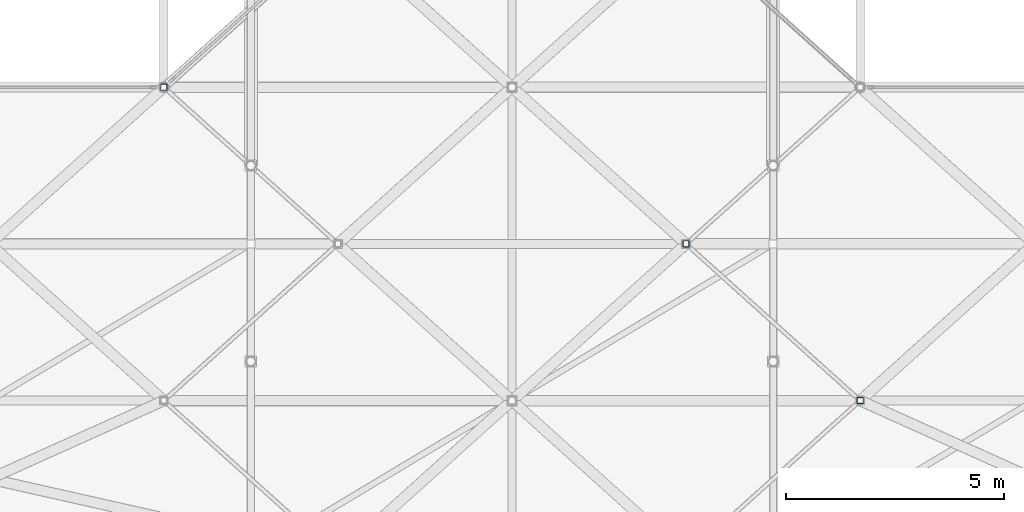
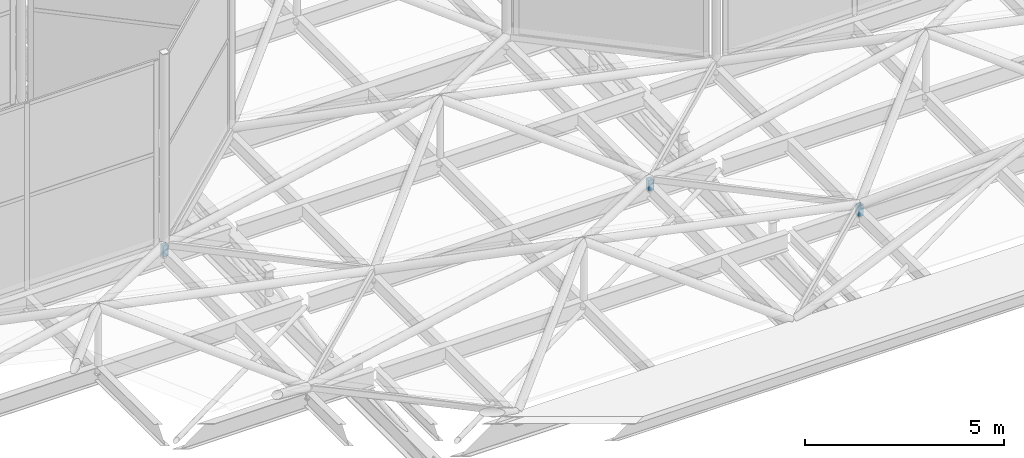
# One storey, part 192 of 239: 3 members.
"""IFC4 building model written with IfcOpenShell, lengths in metres."""

from ifc_helpers import new_model, si_unit, direction, frame, origin, origin_2d, place, context, subcontext, project, spatial, hollow_rectangle, extrude, material, material_profile, profile_set, type_object, element, save


model = new_model("IFC4")

# Units and contexts
model_context = context("Model", 3, precision=1e-05, world=origin(), true_north=direction((0.0, 1.0)))
body_context = subcontext(model_context, "Body", "Model", "MODEL_VIEW")
ifc_project = project(units=[si_unit("LENGTHUNIT", "METRE"), si_unit("AREAUNIT", "SQUARE_METRE"), si_unit("VOLUMEUNIT", "CUBIC_METRE"), si_unit("PLANEANGLEUNIT", "RADIAN"), si_unit("MASSUNIT", "GRAM", prefix="KILO")], contexts=[model_context])

# Site, building, storey
site_placement = place(None, origin())
site = spatial("IfcSite", under=ifc_project, at=site_placement, CompositionType="ELEMENT")
building_placement = place(site_placement, origin())
building = spatial("IfcBuilding", under=site, at=building_placement, Name="Dunvalen Ferry Terminal", CompositionType="ELEMENT")
storey_placement = place(building_placement, frame((0.0, 0.0, 9.840087890625)))
storey = spatial("IfcBuildingStorey", under=building, at=storey_placement, Name="L02", CompositionType="ELEMENT", Elevation=9.840087890625)

# Members
ifc_material = material(Name="Steel S355", Category="steel")
ifc_material_profile = material_profile(ifc_material, hollow_rectangle(XDim=0.14990234375, YDim=0.14990234375, WallThickness=0.008056640625, InnerFilletRadius=0.008056640625, OuterFilletRadius=0.01611328125, at=origin_2d()), Name="Steel S355")
ifc_profile_set = profile_set([ifc_material_profile], Name="Steel S355")
member_type = type_object("IfcMemberType", Name="STR-MB-SHS150", PredefinedType="BRACE", material=ifc_profile_set)
for number, where, z_axis, x_axis, name in (
    (1, (34.0, 61.199951171875, 0.77001953125), (0.0, 0.0, 1.0), (1.0, 0.0, 0.0), "HEX-13 Rim Pedestal Strut 5"),
    (2, (50.0, 54.0, 0.77001953125), (0.0, 0.0, 1.0), (1.0, 0.0, 0.0), "HEX-18 Rim Pedestal Strut 4"),
    (3, (46.0, 57.60009765625, 0.77001953125), (0.0, 0.0, 1.0), (1.0, 0.0, 0.0), "HEX-18 Rim Pedestal Strut 5"),
):
    element("IfcMember", number, at=place(storey_placement, frame(where, z_axis=z_axis, x_axis=x_axis)), inside=storey, type_object=member_type, Name=name, PredefinedType="BRACE", context=body_context, shape_type="SweptSolid", body=[
        extrude(hollow_rectangle(XDim=0.14990234375, YDim=0.14990234375, WallThickness=0.008056640625, InnerFilletRadius=0.008056640625, OuterFilletRadius=0.01611328125, at=origin_2d()), origin(), (0.0, 0.0, 1.0), 0.329833984375),
    ])

save(model, "model.ifc")
